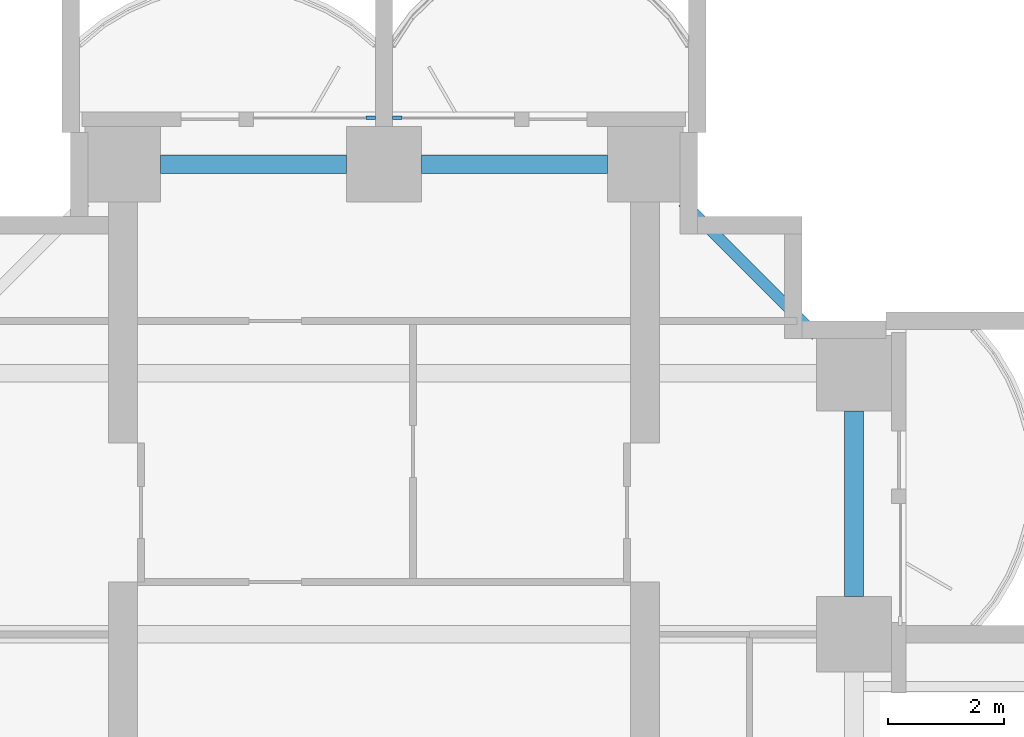
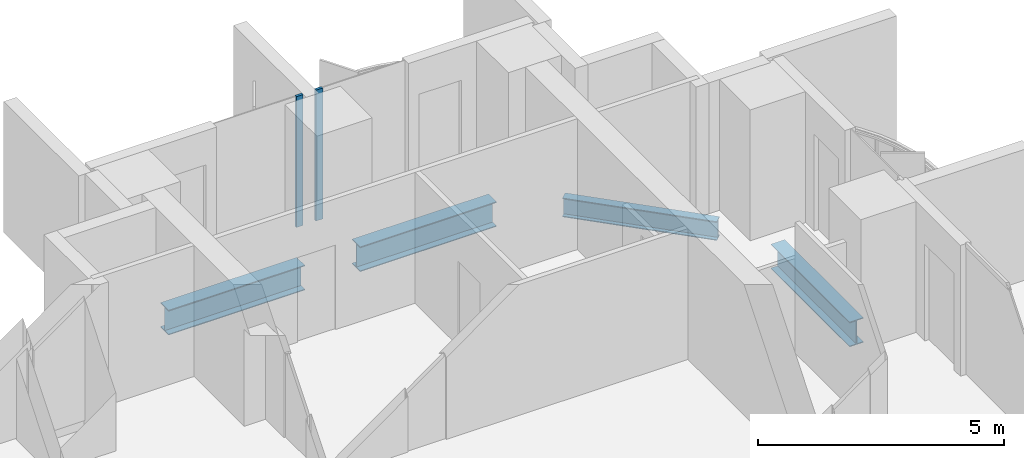
# One storey, part 7 of 21: 4 beams, 2 members, 2 elements without a shape of their own.
"""IFC4 building model written with IfcOpenShell, lengths in metres."""

from ifc_helpers import new_model, si_unit, direction, frame, origin, origin_2d, place, context, subcontext, project, spatial, rectangle, i_section, extrude, material, material_profile, profile_set, type_object, element, aggregate, save


model = new_model("IFC4")

# Units and contexts
model_context = context("Model", 3, precision=1e-05, world=origin(), true_north=direction((0.0, 1.0)))
body_context = subcontext(model_context, "Body", "Model", "MODEL_VIEW")
ifc_project = project(units=[si_unit("LENGTHUNIT", "METRE"), si_unit("AREAUNIT", "SQUARE_METRE"), si_unit("VOLUMEUNIT", "CUBIC_METRE"), si_unit("PLANEANGLEUNIT", "RADIAN"), si_unit("MASSUNIT", "GRAM", prefix="KILO")], contexts=[model_context])

# Site, building, storey
site_placement = place(None, origin())
site = spatial("IfcSite", under=ifc_project, at=site_placement, CompositionType="ELEMENT")
building_placement = place(site_placement, origin())
building = spatial("IfcBuilding", under=site, at=building_placement, Name="Perihelion Cross Residences", CompositionType="ELEMENT")
storey_placement = place(building_placement, frame((0.0, 0.0, 54.0)))
storey = spatial("IfcBuildingStorey", under=building, at=storey_placement, Name="L10", CompositionType="ELEMENT", Elevation=54.0)

# Curtain wall, member
ifc_material_1 = material(Name="Bronze anodised aluminium, tinted glazing", Category="aluminium")
curtain_wall_type = type_object("IfcCurtainWallType", Name="CW1", PredefinedType="NOTDEFINED", material=ifc_material_1)
curtain_wall_1_placement = place(storey_placement, origin())
curtain_wall_1 = element("IfcCurtainWall", 1, at=curtain_wall_1_placement, inside=storey, type_object=curtain_wall_type, Name="Curtain wall CW1 L10 north tip north bay 1", PredefinedType="NOTDEFINED")
ifc_material_2 = material(Name="Bronze anodised aluminium", Category="aluminium")
ifc_material_profile_1 = material_profile(ifc_material_2, rectangle(XDim=0.06005859375, YDim=0.159912109375, at=origin_2d()), Name="CW1 mullion")
ifc_profile_set_1 = profile_set([ifc_material_profile_1], Name="Bronze anodised aluminium")
member_type = type_object("IfcMemberType", Name="CW1 mullion", PredefinedType="MULLION", material=ifc_profile_set_1)
member_1_placement = place(storey_placement, frame((0.22998046875, 26.89990234375, 0.0), z_axis=(0.0, 0.0, 1.0), x_axis=(0.0, -1.0, 0.0)))
member_1 = element("IfcMember", 2, at=member_1_placement, type_object=member_type, Name="CW1 mullion 2", PredefinedType="MULLION", context=body_context, shape_type="SweptSolid", body=[
    extrude(rectangle(XDim=0.06005859375, YDim=0.159912109375, at=origin_2d()), origin(), (0.0, 0.0, 1.0), 3.25),
])
aggregate(curtain_wall_1, [member_1])

curtain_wall_2_placement = place(storey_placement, origin())
curtain_wall_2 = element("IfcCurtainWall", 3, at=curtain_wall_2_placement, inside=storey, type_object=curtain_wall_type, Name="Curtain wall CW1 L10 north tip north bay 2", PredefinedType="NOTDEFINED")
member_2_placement = place(storey_placement, frame((-0.22998046875, 26.89990234375, 0.0), z_axis=(0.0, 0.0, 1.0), x_axis=(0.0, -1.0, 0.0)))
member_2 = element("IfcMember", 4, at=member_2_placement, type_object=member_type, Name="CW1 mullion 1", PredefinedType="MULLION", context=body_context, shape_type="SweptSolid", body=[
    extrude(rectangle(XDim=0.06005859375, YDim=0.159912109375, at=origin_2d()), origin(), (0.0, 0.0, 1.0), 3.25),
])
aggregate(curtain_wall_2, [member_2])

# Beams
ifc_material_3 = material(Name="Steel S355", Category="steel")
ifc_material_profile_2 = material_profile(ifc_material_3, i_section(OverallWidth=0.324951171875, OverallDepth=0.616943359375, WebThickness=0.013916015625, FlangeThickness=0.021484375, at=origin_2d()), Name="W610x174")
ifc_profile_set_2 = profile_set([ifc_material_profile_2], Name="Steel S355")
beam_type_1 = type_object("IfcBeamType", Name="Edge beam W610x174", PredefinedType="SPANDREL", material=ifc_profile_set_2)
for number, where, z_axis, x_axis, name in (
    (5, (8.10009765625, 18.64990234375, -0.55859375), (0.0, 1.0, 0.0), (-1.0, 0.0, 0.0), "Edge beam SB2 L10 no. 19"),
    (6, (3.85009765625, 26.10009765625, -0.55859375), (-1.0, 0.0, 0.0), (0.0, -1.0, 0.0), "Edge beam SB2 L10 no. 15"),
    (7, (-0.64990234375, 26.10009765625, -0.55859375), (-1.0, 0.0, 0.0), (0.0, -1.0, 0.0), "Edge beam SB2 L10 no. 11"),
):
    element("IfcBeam", number, at=place(storey_placement, frame(where, z_axis=z_axis, x_axis=x_axis)), inside=storey, type_object=beam_type_1, Name=name, PredefinedType="SPANDREL", context=body_context, shape_type="SweptSolid", body=[
        extrude(i_section(OverallWidth=0.324951171875, OverallDepth=0.616943359375, WebThickness=0.013916015625, FlangeThickness=0.021484375, at=origin_2d()), origin(), (0.0, 0.0, 1.0), 3.2001953125),
    ])
ifc_material_4 = material(Name="Steel S355", Category="steel")
ifc_material_profile_3 = material_profile(ifc_material_4, i_section(OverallWidth=0.194091796875, OverallDepth=0.469970703125, WebThickness=0.0126953125, FlangeThickness=0.0205078125, at=origin_2d()), Name="W460x106")
ifc_profile_set_3 = profile_set([ifc_material_profile_3], Name="Steel S355")
beam_type_2 = type_object("IfcBeamType", Name="Serration edge beam W460x106", PredefinedType="BEAM", material=ifc_profile_set_3)
beam_placement = place(storey_placement, frame((7.449951171875, 23.14990234375, -0.485107421875), z_axis=(-0.707106781187, 0.707106781187, 0.0), x_axis=(-0.707106781187, -0.707106781187, 0.0)))
element("IfcBeam", 8, at=beam_placement, inside=storey, type_object=beam_type_2, Name="Serration edge beam EB2 L10 no. 4", PredefinedType="BEAM", context=body_context, shape_type="SweptSolid", body=[
    extrude(i_section(OverallWidth=0.194091796875, OverallDepth=0.469970703125, WebThickness=0.0126953125, FlangeThickness=0.0205078125, at=origin_2d()), origin(), (0.0, 0.0, 1.0), 3.252685546875),
])

save(model, "model.ifc")
